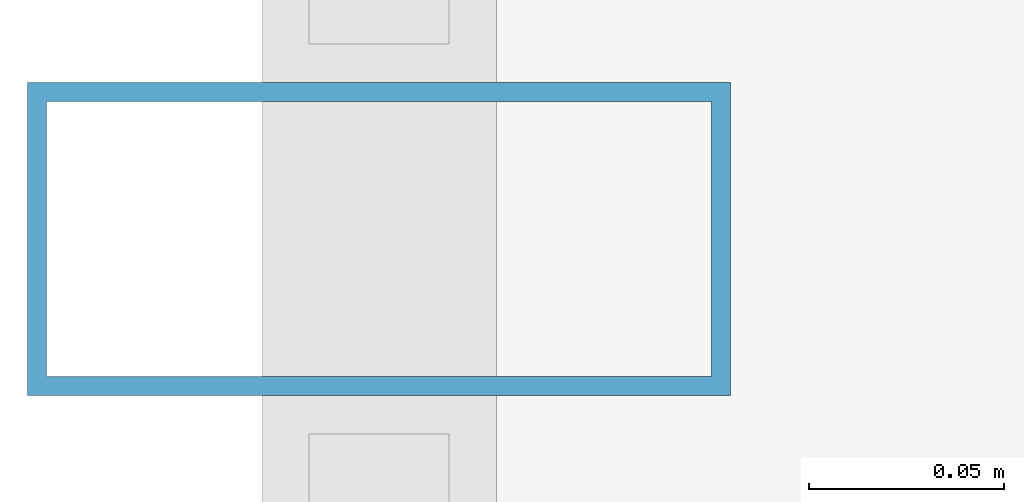
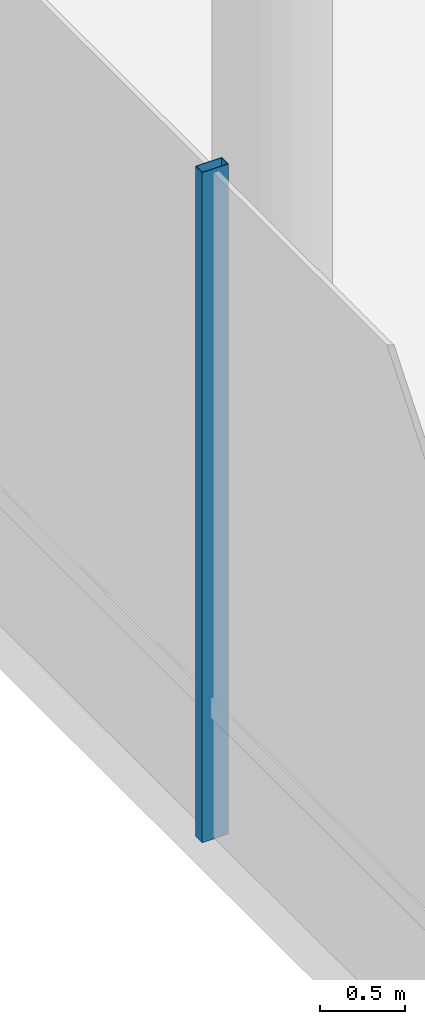
# One storey, part 8 of 31: 1 member, 1 element without a shape of its own.
"""IFC4 building model written with IfcOpenShell, lengths in metres."""

from ifc_helpers import new_model, si_unit, direction, frame, origin, origin_2d, place, context, subcontext, project, spatial, hollow_rectangle, extrude, material, layer, layer_set, material_profile, profile_set, type_object, element, aggregate, save


model = new_model("IFC4")

# Units and contexts
model_context = context("Model", 3, precision=1e-05, world=origin(), true_north=direction((0.0, 1.0)))
body_context = subcontext(model_context, "Body", "Model", "MODEL_VIEW")
ifc_project = project(units=[si_unit("LENGTHUNIT", "METRE"), si_unit("AREAUNIT", "SQUARE_METRE"), si_unit("VOLUMEUNIT", "CUBIC_METRE"), si_unit("PLANEANGLEUNIT", "RADIAN"), si_unit("MASSUNIT", "GRAM", prefix="KILO")], contexts=[model_context])

# Site, building, storey
site_placement = place(None, origin())
site = spatial("IfcSite", under=ifc_project, at=site_placement, CompositionType="ELEMENT")
building_placement = place(site_placement, origin())
building = spatial("IfcBuilding", under=site, at=building_placement, Name="Zarrinselat Tower", CompositionType="ELEMENT")
storey_placement = place(building_placement, origin())
storey = spatial("IfcBuildingStorey", under=building, at=storey_placement, Name="L00", CompositionType="ELEMENT", Elevation=0.0)

# Curtain wall, member
ifc_material_1 = material(Name="Extruded Aluminium Alloy EN AW-6063 T6", Category="aluminium")
ifc_layer = layer(ifc_material_1, 0.2099609375)
ifc_layer_set = layer_set([ifc_layer], Name="Extruded Aluminium Alloy EN AW-6063 T6")
curtain_wall_type = type_object("IfcCurtainWallType", Name="CWS-POD", PredefinedType="NOTDEFINED", material=ifc_layer_set)
curtain_wall_placement = place(storey_placement, origin())
curtain_wall = element("IfcCurtainWall", 1, at=curtain_wall_placement, inside=storey, type_object=curtain_wall_type, Name="L00 Unitised Curtain Wall CW-L00-E7", PredefinedType="NOTDEFINED")
ifc_material_2 = material(Name="Extruded Aluminium Alloy EN AW-6063 T6", Category="aluminium")
ifc_material_profile = material_profile(ifc_material_2, hollow_rectangle(XDim=0.080078125, YDim=0.179931640625, WallThickness=0.0048828125, at=origin_2d()), Name="RHS 180x80x5")
ifc_profile_set = profile_set([ifc_material_profile], Name="Extruded Aluminium Alloy EN AW-6063 T6")
member_type = type_object("IfcMemberType", Name="MEM-CW-MUL", PredefinedType="MULLION", material=ifc_profile_set)
member_placement = place(storey_placement, frame((-2.5, 30.272705078125, 0.0), z_axis=(0.0, 0.0, 1.0), x_axis=(0.0, -1.0, 0.0)))
member = element("IfcMember", 2, at=member_placement, type_object=member_type, Name="CW-L00-E7 Mullion 6", PredefinedType="MULLION", context=body_context, shape_type="SweptSolid", body=[
    extrude(hollow_rectangle(XDim=0.080078125, YDim=0.179931640625, WallThickness=0.0048828125, at=origin_2d()), origin(), (0.0, 0.0, 1.0), 4.820068359375),
])
aggregate(curtain_wall, [member])

save(model, "model.ifc")
